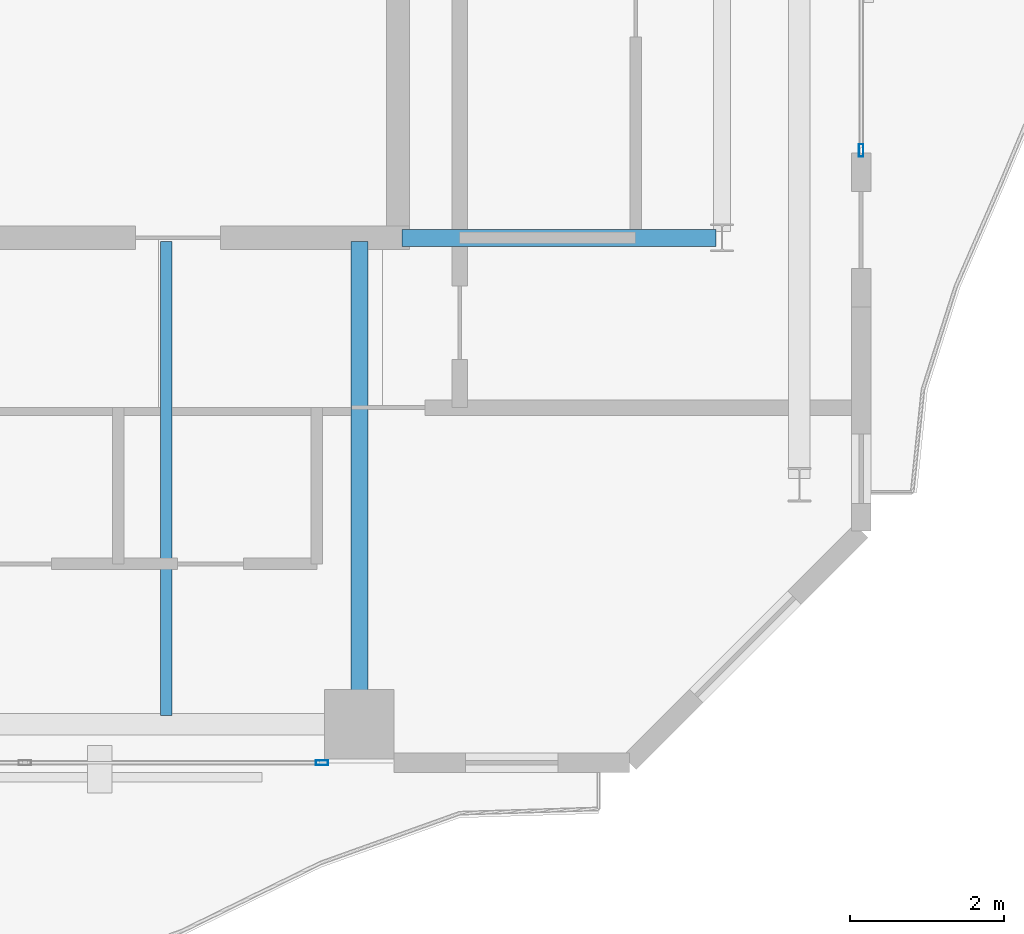
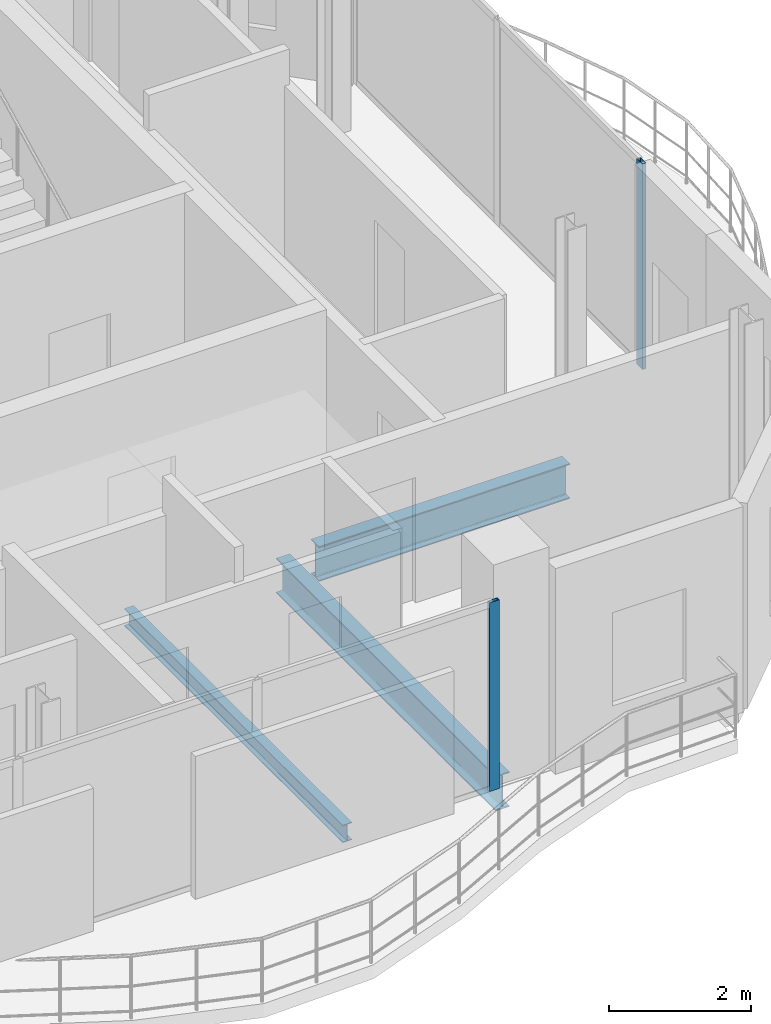
# One storey, part 14 of 22: 3 beams, 2 members, 2 elements without a shape of their own.
"""IFC4 building model written with IfcOpenShell, lengths in metres."""

import ifcopenshell
import ifcopenshell.guid

model = None  # the IFC model being written
_history = None  # IfcOwnerHistory: only IFC2X3 demands one
_inside = {}  # id of a spatial element -> (the spatial element, [elements in it])
_under = {}  # id of a project, library or spatial element -> (it, [spatial elements below it])
_declared = {}  # id of a project -> (the project, [libraries it declares])
_typed = {}  # id of a type object -> (the type object, [elements of that type])
_made_of = {}  # id of a material, layer set ... -> (it, [elements and type objects made of it])


def new_model(schema):
    """Start an empty IFC model of exactly this schema.

    Asked for "IFC4X3", IfcOpenShell would pick the latest addendum, in which some entities
    have other attributes; the version numbers below select the first issue.
    IFC2X3 requires an IfcOwnerHistory on every rooted entity: one is made here for all.
    """
    global model, _history
    if schema == "IFC4X3":
        model = ifcopenshell.file(schema_version=(4, 3, 0, 0))
    else:
        model = ifcopenshell.file(schema=schema)
    _inside.clear()
    _under.clear()
    _declared.clear()
    _typed.clear()
    _made_of.clear()
    _history = None
    if model.schema == "IFC2X3":
        org = make("IfcOrganization", Name="unknown")
        user = make(
            "IfcPersonAndOrganization",
            ThePerson=make("IfcPerson", FamilyName="unknown"),
            TheOrganization=org,
        )
        app = make(
            "IfcApplication",
            ApplicationDeveloper=org,
            Version="unknown",
            ApplicationFullName="unknown",
            ApplicationIdentifier="unknown",
        )
        _history = make(
            "IfcOwnerHistory",
            OwningUser=user,
            OwningApplication=app,
            ChangeAction="ADDED",
            CreationDate=0,
        )
    return model


def make(cls, **values):
    """One entity of the class cls with the attributes given. An attribute that is None is left unset."""
    return model.create_entity(
        cls, **{name: value for name, value in values.items() if value is not None}
    )


def rooted(cls, **values):
    """An entity with a GlobalId (a new one), such as an element, a storey or a relation."""
    return make(cls, GlobalId=ifcopenshell.guid.new(), OwnerHistory=_history, **values)


def si_unit(unit_type, name, prefix=None):
    """IfcSIUnit, for example si_unit("LENGTHUNIT", "METRE", prefix="MILLI")."""
    return make("IfcSIUnit", UnitType=unit_type, Prefix=prefix, Name=name)


def assignment(units):
    """IfcUnitAssignment: the units of a project."""
    return None if units is None else make("IfcUnitAssignment", Units=units)


def point(xyz):
    """IfcCartesianPoint."""
    return None if xyz is None else make("IfcCartesianPoint", Coordinates=xyz)


def direction(xyz):
    """IfcDirection."""
    return None if xyz is None else make("IfcDirection", DirectionRatios=xyz)


def frame(location, z_axis=None, x_axis=None):
    """IfcAxis2Placement3D, a coordinate frame: its origin and axes. An axis left out is left unset."""
    return make(
        "IfcAxis2Placement3D",
        Location=point(location),
        Axis=direction(z_axis),
        RefDirection=direction(x_axis),
    )


def frame_2d(location, x_axis=None):
    """IfcAxis2Placement2D, a coordinate frame in the plane: its origin and x axis."""
    return make(
        "IfcAxis2Placement2D", Location=point(location), RefDirection=direction(x_axis)
    )


def origin():
    """The frame at (0, 0, 0) with its axes left unset."""
    return frame((0.0, 0.0, 0.0))


def origin_2d():
    """The frame at (0, 0) in the plane with its x axis left unset."""
    return frame_2d((0.0, 0.0))


def place(relative_to, where):
    """IfcLocalPlacement: puts the frame where relative to a parent placement (None: the world)."""
    return make(
        "IfcLocalPlacement", PlacementRelTo=relative_to, RelativePlacement=where
    )


def context(
    kind, dimensions, precision=None, world=None, true_north=None, identifier=None
):
    """IfcGeometricRepresentationContext, for example the 3D "Model" context."""
    return make(
        "IfcGeometricRepresentationContext",
        ContextIdentifier=identifier,
        ContextType=kind,
        CoordinateSpaceDimension=dimensions,
        Precision=precision,
        WorldCoordinateSystem=world,
        TrueNorth=true_north,
    )


def subcontext(parent, identifier, kind, view, scale=None):
    """IfcGeometricRepresentationSubContext, for example "Body" below "Model"."""
    return make(
        "IfcGeometricRepresentationSubContext",
        ContextIdentifier=identifier,
        ContextType=kind,
        ParentContext=parent,
        TargetScale=scale,
        TargetView=view,
    )


def project(units=None, contexts=None):
    """IfcProject with its units and contexts."""
    return rooted(
        "IfcProject",
        Name="project",
        RepresentationContexts=contexts,
        UnitsInContext=assignment(units),
    )


def spatial(cls, under=None, at=None, **own):
    """A site, building, storey or space (cls), placed at a placement, below another one or the project."""
    s = rooted(cls, ObjectPlacement=at, **own)
    if under is not None:
        _under.setdefault(under.id(), (under, []))[1].append(s)
    return s


def profile(cls, at=None, kind="AREA", **sizes):
    """A parametric profile (cls). Its sizes go by their IFC names, for example OverallWidth=200.0."""
    return make(cls, ProfileType=kind, Position=at, **sizes)


def hollow_rectangle(**sizes):
    """IfcRectangleHollowProfileDef."""
    return profile("IfcRectangleHollowProfileDef", **sizes)


def i_section(**sizes):
    """IfcIShapeProfileDef."""
    return profile("IfcIShapeProfileDef", **sizes)


def extrude(swept, where, along, depth):
    """IfcExtrudedAreaSolid: the profile swept, set in the frame where, extruded along a direction by depth."""
    return make(
        "IfcExtrudedAreaSolid",
        SweptArea=swept,
        Position=where,
        ExtrudedDirection=direction(along),
        Depth=depth,
    )


def shape(context_of_items, identifier, shape_type, items):
    """IfcShapeRepresentation: the items that make up one representation, for example the "Body"."""
    return make(
        "IfcShapeRepresentation",
        ContextOfItems=context_of_items,
        RepresentationIdentifier=identifier,
        RepresentationType=shape_type,
        Items=items,
    )


def material(Name=None, Category=None):
    """IfcMaterial."""
    return make("IfcMaterial", Name=Name, Category=Category)


def layer(
    of_material, thickness, ventilated=None, Name=None, Category=None, Priority=None
):
    """IfcMaterialLayer: one layer of a wall or slab, of a material (None: an air gap)."""
    return make(
        "IfcMaterialLayer",
        Material=of_material,
        LayerThickness=thickness,
        IsVentilated=ventilated,
        Name=Name,
        Category=Category,
        Priority=Priority,
    )


def layer_set(layers, Name=None):
    """IfcMaterialLayerSet."""
    return make("IfcMaterialLayerSet", MaterialLayers=layers, LayerSetName=Name)


def material_profile(
    of_material, cross_section, Name=None, Category=None, Priority=None
):
    """IfcMaterialProfile: a cross section and its material."""
    return make(
        "IfcMaterialProfile",
        Name=Name,
        Material=of_material,
        Profile=cross_section,
        Priority=Priority,
        Category=Category,
    )


def profile_set(profiles, Name=None, composite=None):
    """IfcMaterialProfileSet."""
    return make(
        "IfcMaterialProfileSet",
        Name=Name,
        MaterialProfiles=profiles,
        CompositeProfile=composite,
    )


def made_of(thing, what):
    """Note that an element or type object is made of a material, layer set ...; save() writes the relation."""
    if what is not None:
        _made_of.setdefault(what.id(), (what, []))[1].append(thing)
    return thing


def type_object(cls, material=None, **own):
    """A type object (cls), such as IfcWallType, which elements share."""
    return made_of(rooted(cls, **own), material)


def element(
    cls,
    number,
    at=None,
    inside=None,
    cuts=None,
    type_object=None,
    material=None,
    context=None,
    identifier="Body",
    shape_type=None,
    held_by="IfcProductDefinitionShape",
    body=None,
    shapes=None,
    **own,
):
    """One element of the class cls, such as IfcWall. Its Tag is "e" and its number.

    at: its placement. inside: the storey or other place that contains it. cuts: it is an
    opening in that element (IfcRelVoidsElement). A single representation is given by context,
    identifier, shape_type and body (its items); several are given by shapes. held_by: the class
    of the entity that holds the representations. save() writes the other relations.
    """
    e = rooted(cls, Tag="e%d" % number, ObjectPlacement=at, **own)
    if body is not None:
        shapes = [shape(context, identifier, shape_type, body)]
    if shapes is not None:
        e.Representation = make(held_by, Representations=shapes)
    if inside is not None:
        _inside.setdefault(inside.id(), (inside, []))[1].append(e)
    if cuts is not None:
        rooted(
            "IfcRelVoidsElement", RelatingBuildingElement=cuts, RelatedOpeningElement=e
        )
    if type_object is not None:
        _typed.setdefault(type_object.id(), (type_object, []))[1].append(e)
    return made_of(e, material)


def aggregate(whole, parts):
    """IfcRelAggregates: a whole, such as a stair, and the parts it consists of."""
    return rooted("IfcRelAggregates", RelatingObject=whole, RelatedObjects=parts)


def save(model, path):
    """Write the relations noted so far, then the file.

    IfcRelAggregates (storeys below a building ...), IfcRelContainedInSpatialStructure (elements
    in a storey), IfcRelDefinesByType, IfcRelAssociatesMaterial and IfcRelDeclares: one each for
    every whole, place, type object, material and project.
    """
    for whole, parts in _under.values():
        aggregate(whole, parts)
    for where, things in _inside.values():
        rooted(
            "IfcRelContainedInSpatialStructure",
            RelatedElements=things,
            RelatingStructure=where,
        )
    for kind, things in _typed.values():
        rooted("IfcRelDefinesByType", RelatedObjects=things, RelatingType=kind)
    for what, things in _made_of.values():
        rooted("IfcRelAssociatesMaterial", RelatedObjects=things, RelatingMaterial=what)
    for by, libraries in _declared.values():
        rooted("IfcRelDeclares", RelatingContext=by, RelatedDefinitions=libraries)
    model.write(path)


model = new_model("IFC4")

# Units and contexts
model_context = context("Model", 3, precision=1e-05, world=origin(), true_north=direction((0.0, 1.0)))
body_context = subcontext(model_context, "Body", "Model", "MODEL_VIEW")
ifc_project = project(units=[si_unit("LENGTHUNIT", "METRE"), si_unit("AREAUNIT", "SQUARE_METRE"), si_unit("VOLUMEUNIT", "CUBIC_METRE"), si_unit("PLANEANGLEUNIT", "RADIAN"), si_unit("MASSUNIT", "GRAM", prefix="KILO")], contexts=[model_context])

# Site, building, storey
site_placement = place(None, origin())
site = spatial("IfcSite", under=ifc_project, at=site_placement, CompositionType="ELEMENT")
building_placement = place(site_placement, origin())
building = spatial("IfcBuilding", under=site, at=building_placement, Name="Catumbela Crestline Tower", CompositionType="ELEMENT")
storey_placement = place(building_placement, frame((0.0, 0.0, 222.2)))
storey = spatial("IfcBuildingStorey", under=building, at=storey_placement, Name="L57", CompositionType="ELEMENT", Elevation=222.2)

# Beams
ifc_material_1 = material(Name="Structural steel S355J2", Category="steel")
ifc_material_profile_1 = material_profile(ifc_material_1, i_section(OverallWidth=0.22, OverallDepth=0.6, WebThickness=0.012, FlangeThickness=0.019, FilletRadius=0.024, at=origin_2d()), Name="IPE 600")
ifc_profile_set_1 = profile_set([ifc_material_profile_1], Name="Structural steel S355J2")
beam_type_1 = type_object("IfcBeamType", Name="BG-IPE600", PredefinedType="BEAM", material=ifc_profile_set_1)
beam_1_placement = place(storey_placement, frame((40.05, 30.8, -0.56), z_axis=(1.0, 0.0, 0.0), x_axis=(0.0, 1.0, 0.0)))
element("IfcBeam", 1, at=beam_1_placement, inside=storey, type_object=beam_type_1, Name="L57 Beam BM-L57-M08", PredefinedType="BEAM", context=body_context, shape_type="SweptSolid", body=[
    extrude(i_section(OverallWidth=0.22, OverallDepth=0.6, WebThickness=0.012, FlangeThickness=0.019, FilletRadius=0.024, at=origin_2d()), origin(), (0.0, 0.0, 1.0), 4.07),
])
beam_2_placement = place(storey_placement, frame((39.5, 24.58, -0.56), z_axis=(0.0, 1.0, 0.0), x_axis=(-1.0, 0.0, 0.0)))
element("IfcBeam", 2, at=beam_2_placement, inside=storey, type_object=beam_type_1, Name="L57 Beam BM-L57-SNS18", PredefinedType="BEAM", context=body_context, shape_type="SweptSolid", body=[
    extrude(i_section(OverallWidth=0.22, OverallDepth=0.6, WebThickness=0.012, FlangeThickness=0.019, FilletRadius=0.024, at=origin_2d()), origin(), (0.0, 0.0, 1.0), 6.17),
])
ifc_material_profile_2 = material_profile(ifc_material_1, i_section(OverallWidth=0.15, OverallDepth=0.3, WebThickness=0.0071, FlangeThickness=0.0107, FilletRadius=0.015, at=origin_2d()), Name="IPE 300")
ifc_profile_set_2 = profile_set([ifc_material_profile_2], Name="Structural steel S355J2")
beam_type_2 = type_object("IfcBeamType", Name="BJ-IPE300", PredefinedType="JOIST", material=ifc_profile_set_2)
beam_3_placement = place(storey_placement, frame((37.0, 24.61, -0.41), z_axis=(0.0, 1.0, 0.0), x_axis=(-1.0, 0.0, 0.0)))
element("IfcBeam", 3, at=beam_3_placement, inside=storey, type_object=beam_type_2, Name="L57 Joist JS-L57-SP26", PredefinedType="JOIST", context=body_context, shape_type="SweptSolid", body=[
    extrude(i_section(OverallWidth=0.15, OverallDepth=0.3, WebThickness=0.0071, FlangeThickness=0.0107, FilletRadius=0.015, at=origin_2d()), origin(), (0.0, 0.0, 1.0), 6.14),
])

# Curtain wall, member
ifc_material_2 = material(Name="Aluminium alloy AW-6060-T66", Category="aluminium")
ifc_layer = layer(ifc_material_2, 0.18, Name="Aluminium alloy AW-6060-T66")
ifc_layer_set = layer_set([ifc_layer], Name="Aluminium alloy AW-6060-T66")
curtain_wall_type = type_object("IfcCurtainWallType", Name="CWU-Z4", PredefinedType="USERDEFINED", material=ifc_layer_set)
curtain_wall_1_placement = place(storey_placement, origin())
curtain_wall_1 = element("IfcCurtainWall", 4, at=curtain_wall_1_placement, inside=storey, type_object=curtain_wall_type, Name="L57 Unitised Curtain Wall CW-L57-E3S2", ObjectType="UNITISED", PredefinedType="USERDEFINED")
ifc_material_profile_3 = material_profile(ifc_material_2, hollow_rectangle(XDim=0.06, YDim=0.16, WallThickness=0.004, at=origin_2d()), Name="ALU 160x60x4")
ifc_profile_set_3 = profile_set([ifc_material_profile_3], Name="Aluminium alloy AW-6060-T66")
member_type = type_object("IfcMemberType", Name="MUL-160X60", PredefinedType="MULLION", material=ifc_profile_set_3)
member_1_placement = place(storey_placement, frame((39.0175, 24.0, 0.0), z_axis=(0.0, 0.0, 1.0), x_axis=(0.0, 1.0, 0.0)))
member_1 = element("IfcMember", 5, at=member_1_placement, type_object=member_type, Name="CWU-Z4 mullion 4", PredefinedType="MULLION", context=body_context, shape_type="SweptSolid", body=[
    extrude(hollow_rectangle(XDim=0.06, YDim=0.16, WallThickness=0.004, at=origin_2d()), origin(), (0.0, 0.0, 1.0), 3.24),
])
aggregate(curtain_wall_1, [member_1])

curtain_wall_2_placement = place(storey_placement, origin())
curtain_wall_2 = element("IfcCurtainWall", 6, at=curtain_wall_2_placement, inside=storey, type_object=curtain_wall_type, Name="L57 Unitised Curtain Wall CW-L57-E5S2", ObjectType="UNITISED", PredefinedType="USERDEFINED")
member_2_placement = place(storey_placement, frame((46.0, 31.9325, 0.0), z_axis=(0.0, 0.0, 1.0), x_axis=(-1.0, 0.0, 0.0)))
member_2 = element("IfcMember", 7, at=member_2_placement, type_object=member_type, Name="CWU-Z4 mullion 1", PredefinedType="MULLION", context=body_context, shape_type="SweptSolid", body=[
    extrude(hollow_rectangle(XDim=0.06, YDim=0.16, WallThickness=0.004, at=origin_2d()), origin(), (0.0, 0.0, 1.0), 3.53),
])
aggregate(curtain_wall_2, [member_2])

save(model, "model.ifc")
